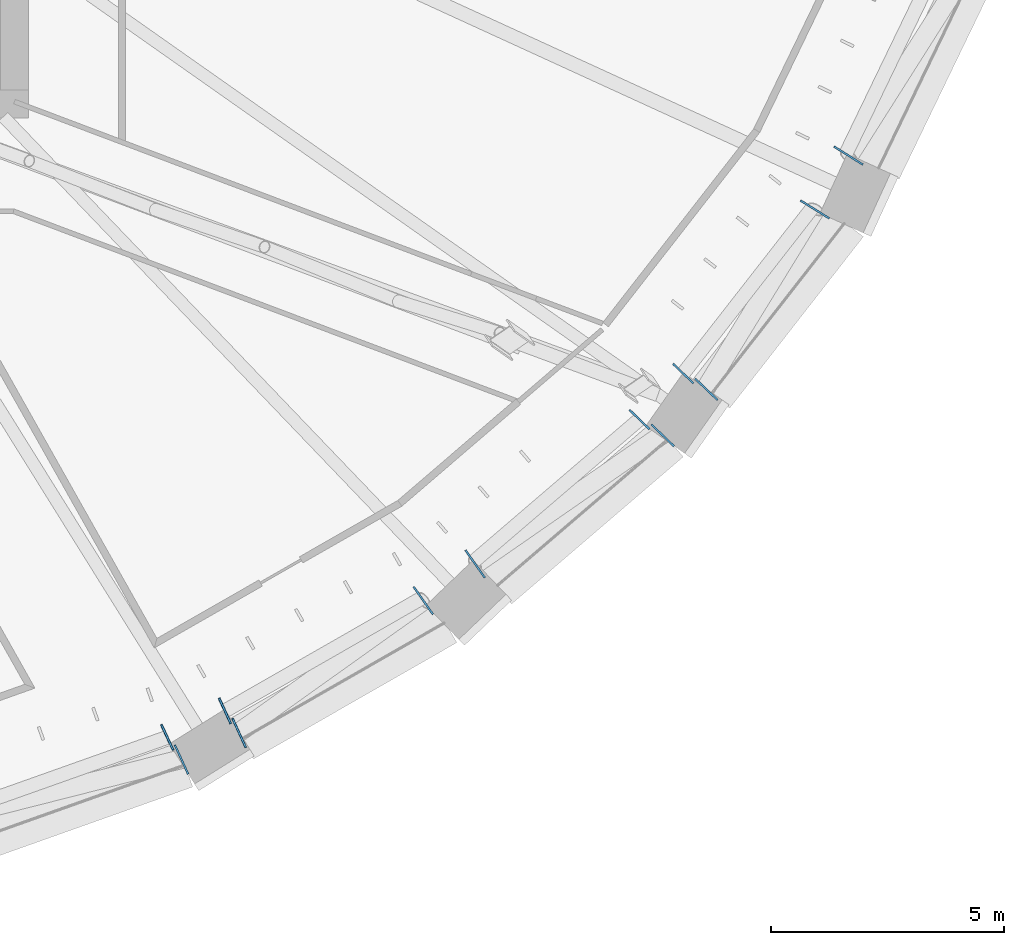
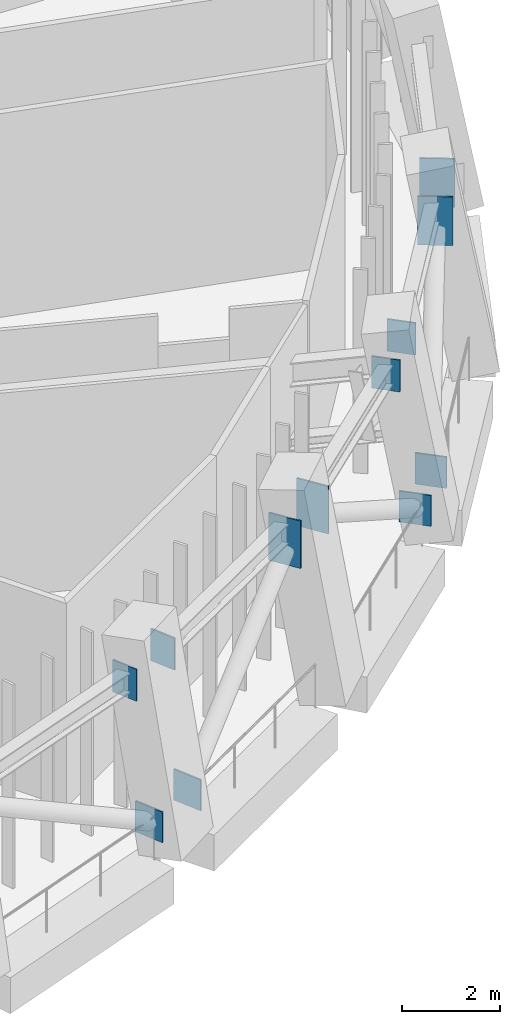
# One storey, part 13 of 21: 12 discrete accessories.
"""IFC4 building model written with IfcOpenShell, lengths in metres."""

import ifcopenshell
import ifcopenshell.guid

model = None  # the IFC model being written
_history = None  # IfcOwnerHistory: only IFC2X3 demands one
_inside = {}  # id of a spatial element -> (the spatial element, [elements in it])
_under = {}  # id of a project, library or spatial element -> (it, [spatial elements below it])
_declared = {}  # id of a project -> (the project, [libraries it declares])
_typed = {}  # id of a type object -> (the type object, [elements of that type])
_made_of = {}  # id of a material, layer set ... -> (it, [elements and type objects made of it])


def new_model(schema):
    """Start an empty IFC model of exactly this schema.

    Asked for "IFC4X3", IfcOpenShell would pick the latest addendum, in which some entities
    have other attributes; the version numbers below select the first issue.
    IFC2X3 requires an IfcOwnerHistory on every rooted entity: one is made here for all.
    """
    global model, _history
    if schema == "IFC4X3":
        model = ifcopenshell.file(schema_version=(4, 3, 0, 0))
    else:
        model = ifcopenshell.file(schema=schema)
    _inside.clear()
    _under.clear()
    _declared.clear()
    _typed.clear()
    _made_of.clear()
    _history = None
    if model.schema == "IFC2X3":
        org = make("IfcOrganization", Name="unknown")
        user = make(
            "IfcPersonAndOrganization",
            ThePerson=make("IfcPerson", FamilyName="unknown"),
            TheOrganization=org,
        )
        app = make(
            "IfcApplication",
            ApplicationDeveloper=org,
            Version="unknown",
            ApplicationFullName="unknown",
            ApplicationIdentifier="unknown",
        )
        _history = make(
            "IfcOwnerHistory",
            OwningUser=user,
            OwningApplication=app,
            ChangeAction="ADDED",
            CreationDate=0,
        )
    return model


def make(cls, **values):
    """One entity of the class cls with the attributes given. An attribute that is None is left unset."""
    return model.create_entity(
        cls, **{name: value for name, value in values.items() if value is not None}
    )


def rooted(cls, **values):
    """An entity with a GlobalId (a new one), such as an element, a storey or a relation."""
    return make(cls, GlobalId=ifcopenshell.guid.new(), OwnerHistory=_history, **values)


def si_unit(unit_type, name, prefix=None):
    """IfcSIUnit, for example si_unit("LENGTHUNIT", "METRE", prefix="MILLI")."""
    return make("IfcSIUnit", UnitType=unit_type, Prefix=prefix, Name=name)


def assignment(units):
    """IfcUnitAssignment: the units of a project."""
    return None if units is None else make("IfcUnitAssignment", Units=units)


def point(xyz):
    """IfcCartesianPoint."""
    return None if xyz is None else make("IfcCartesianPoint", Coordinates=xyz)


def direction(xyz):
    """IfcDirection."""
    return None if xyz is None else make("IfcDirection", DirectionRatios=xyz)


def frame(location, z_axis=None, x_axis=None):
    """IfcAxis2Placement3D, a coordinate frame: its origin and axes. An axis left out is left unset."""
    return make(
        "IfcAxis2Placement3D",
        Location=point(location),
        Axis=direction(z_axis),
        RefDirection=direction(x_axis),
    )


def frame_2d(location, x_axis=None):
    """IfcAxis2Placement2D, a coordinate frame in the plane: its origin and x axis."""
    return make(
        "IfcAxis2Placement2D", Location=point(location), RefDirection=direction(x_axis)
    )


def origin():
    """The frame at (0, 0, 0) with its axes left unset."""
    return frame((0.0, 0.0, 0.0))


def origin_2d():
    """The frame at (0, 0) in the plane with its x axis left unset."""
    return frame_2d((0.0, 0.0))


def place(relative_to, where):
    """IfcLocalPlacement: puts the frame where relative to a parent placement (None: the world)."""
    return make(
        "IfcLocalPlacement", PlacementRelTo=relative_to, RelativePlacement=where
    )


def context(
    kind, dimensions, precision=None, world=None, true_north=None, identifier=None
):
    """IfcGeometricRepresentationContext, for example the 3D "Model" context."""
    return make(
        "IfcGeometricRepresentationContext",
        ContextIdentifier=identifier,
        ContextType=kind,
        CoordinateSpaceDimension=dimensions,
        Precision=precision,
        WorldCoordinateSystem=world,
        TrueNorth=true_north,
    )


def subcontext(parent, identifier, kind, view, scale=None):
    """IfcGeometricRepresentationSubContext, for example "Body" below "Model"."""
    return make(
        "IfcGeometricRepresentationSubContext",
        ContextIdentifier=identifier,
        ContextType=kind,
        ParentContext=parent,
        TargetScale=scale,
        TargetView=view,
    )


def project(units=None, contexts=None):
    """IfcProject with its units and contexts."""
    return rooted(
        "IfcProject",
        Name="project",
        RepresentationContexts=contexts,
        UnitsInContext=assignment(units),
    )


def spatial(cls, under=None, at=None, **own):
    """A site, building, storey or space (cls), placed at a placement, below another one or the project."""
    s = rooted(cls, ObjectPlacement=at, **own)
    if under is not None:
        _under.setdefault(under.id(), (under, []))[1].append(s)
    return s


def profile(cls, at=None, kind="AREA", **sizes):
    """A parametric profile (cls). Its sizes go by their IFC names, for example OverallWidth=200.0."""
    return make(cls, ProfileType=kind, Position=at, **sizes)


def rectangle(**sizes):
    """IfcRectangleProfileDef."""
    return profile("IfcRectangleProfileDef", **sizes)


def extrude(swept, where, along, depth):
    """IfcExtrudedAreaSolid: the profile swept, set in the frame where, extruded along a direction by depth."""
    return make(
        "IfcExtrudedAreaSolid",
        SweptArea=swept,
        Position=where,
        ExtrudedDirection=direction(along),
        Depth=depth,
    )


def shape(context_of_items, identifier, shape_type, items):
    """IfcShapeRepresentation: the items that make up one representation, for example the "Body"."""
    return make(
        "IfcShapeRepresentation",
        ContextOfItems=context_of_items,
        RepresentationIdentifier=identifier,
        RepresentationType=shape_type,
        Items=items,
    )


def material(Name=None, Category=None):
    """IfcMaterial."""
    return make("IfcMaterial", Name=Name, Category=Category)


def layer(
    of_material, thickness, ventilated=None, Name=None, Category=None, Priority=None
):
    """IfcMaterialLayer: one layer of a wall or slab, of a material (None: an air gap)."""
    return make(
        "IfcMaterialLayer",
        Material=of_material,
        LayerThickness=thickness,
        IsVentilated=ventilated,
        Name=Name,
        Category=Category,
        Priority=Priority,
    )


def layer_set(layers, Name=None):
    """IfcMaterialLayerSet."""
    return make("IfcMaterialLayerSet", MaterialLayers=layers, LayerSetName=Name)


def made_of(thing, what):
    """Note that an element or type object is made of a material, layer set ...; save() writes the relation."""
    if what is not None:
        _made_of.setdefault(what.id(), (what, []))[1].append(thing)
    return thing


def type_object(cls, material=None, **own):
    """A type object (cls), such as IfcWallType, which elements share."""
    return made_of(rooted(cls, **own), material)


def element(
    cls,
    number,
    at=None,
    inside=None,
    cuts=None,
    type_object=None,
    material=None,
    context=None,
    identifier="Body",
    shape_type=None,
    held_by="IfcProductDefinitionShape",
    body=None,
    shapes=None,
    **own,
):
    """One element of the class cls, such as IfcWall. Its Tag is "e" and its number.

    at: its placement. inside: the storey or other place that contains it. cuts: it is an
    opening in that element (IfcRelVoidsElement). A single representation is given by context,
    identifier, shape_type and body (its items); several are given by shapes. held_by: the class
    of the entity that holds the representations. save() writes the other relations.
    """
    e = rooted(cls, Tag="e%d" % number, ObjectPlacement=at, **own)
    if body is not None:
        shapes = [shape(context, identifier, shape_type, body)]
    if shapes is not None:
        e.Representation = make(held_by, Representations=shapes)
    if inside is not None:
        _inside.setdefault(inside.id(), (inside, []))[1].append(e)
    if cuts is not None:
        rooted(
            "IfcRelVoidsElement", RelatingBuildingElement=cuts, RelatedOpeningElement=e
        )
    if type_object is not None:
        _typed.setdefault(type_object.id(), (type_object, []))[1].append(e)
    return made_of(e, material)


def aggregate(whole, parts):
    """IfcRelAggregates: a whole, such as a stair, and the parts it consists of."""
    return rooted("IfcRelAggregates", RelatingObject=whole, RelatedObjects=parts)


def save(model, path):
    """Write the relations noted so far, then the file.

    IfcRelAggregates (storeys below a building ...), IfcRelContainedInSpatialStructure (elements
    in a storey), IfcRelDefinesByType, IfcRelAssociatesMaterial and IfcRelDeclares: one each for
    every whole, place, type object, material and project.
    """
    for whole, parts in _under.values():
        aggregate(whole, parts)
    for where, things in _inside.values():
        rooted(
            "IfcRelContainedInSpatialStructure",
            RelatedElements=things,
            RelatingStructure=where,
        )
    for kind, things in _typed.values():
        rooted("IfcRelDefinesByType", RelatedObjects=things, RelatingType=kind)
    for what, things in _made_of.values():
        rooted("IfcRelAssociatesMaterial", RelatedObjects=things, RelatingMaterial=what)
    for by, libraries in _declared.values():
        rooted("IfcRelDeclares", RelatingContext=by, RelatedDefinitions=libraries)
    model.write(path)


model = new_model("IFC4")

# Units and contexts
model_context = context("Model", 3, precision=1e-05, world=origin(), true_north=direction((0.0, 1.0)))
body_context = subcontext(model_context, "Body", "Model", "MODEL_VIEW")
ifc_project = project(units=[si_unit("LENGTHUNIT", "METRE"), si_unit("AREAUNIT", "SQUARE_METRE"), si_unit("VOLUMEUNIT", "CUBIC_METRE"), si_unit("PLANEANGLEUNIT", "RADIAN"), si_unit("MASSUNIT", "GRAM", prefix="KILO")], contexts=[model_context])

# Site, building, storey
site_placement = place(None, origin())
site = spatial("IfcSite", under=ifc_project, at=site_placement, CompositionType="ELEMENT")
building_placement = place(site_placement, origin())
building = spatial("IfcBuilding", under=site, at=building_placement, Name="Halqa Exchange Tower", CompositionType="ELEMENT")
storey_placement = place(building_placement, frame((0.0, 0.0, 173.5)))
storey = spatial("IfcBuildingStorey", under=building, at=storey_placement, Name="L39", CompositionType="ELEMENT", Elevation=173.5)

# Discrete accessories
ifc_material = material(Name="Steel S355", Category="steel")
ifc_layer = layer(ifc_material, 0.0400390625)
ifc_layer_set = layer_set([ifc_layer], Name="Steel S355")
discrete_accessory_type = type_object("IfcDiscreteAccessoryType", Name="Belt truss anchor plate 40", PredefinedType="ANCHORPLATE", material=ifc_layer_set)
for number, where, z_axis, x_axis, name in (
    (1, (16.19384765625, -24.716796875, 4.25), (0.9097381412, 0.415182507393, 0.0), (-0.415182507393, 0.9097381412, 0.0), "Belt truss anchor plate"),
    (2, (14.994384765625, -25.267578125, 4.25), (-0.90742390538, -0.420216439404, 0.0), (0.420216439404, -0.90742390538, 0.0), "Belt truss anchor plate"),
):
    element("IfcDiscreteAccessory", number, at=place(storey_placement, frame(where, z_axis=z_axis, x_axis=x_axis)), inside=storey, type_object=discrete_accessory_type, Name=name, PredefinedType="ANCHORPLATE", context=body_context, shape_type="SweptSolid", body=[
        extrude(rectangle(XDim=0.60009765625, YDim=0.800048828125, at=origin_2d()), origin(), (0.0, 0.0, 1.0), 0.0400390625),
    ])
discrete_accessory_1_placement = place(storey_placement, frame((16.497802734375, -25.1904296875, 0.912353515625), z_axis=(0.9097381412, 0.415182507393, 0.0), x_axis=(-0.415182507393, 0.9097381412, 0.0)))
element("IfcDiscreteAccessory", 3, at=discrete_accessory_1_placement, inside=storey, type_object=discrete_accessory_type, Name="Belt truss anchor plate", PredefinedType="ANCHORPLATE", context=body_context, shape_type="SweptSolid", body=[
    extrude(rectangle(XDim=0.681884765625, YDim=0.77392578125, at=origin_2d()), origin(), (0.0, 0.0, 1.0), 0.0400390625),
])
discrete_accessory_2_placement = place(storey_placement, frame((15.299072265625, -25.7431640625, 0.891845703125), z_axis=(-0.9097381412, -0.415182507393, 0.0), x_axis=(0.415182507393, -0.9097381412, 0.0)))
element("IfcDiscreteAccessory", 4, at=discrete_accessory_2_placement, inside=storey, type_object=discrete_accessory_type, Name="Belt truss anchor plate", PredefinedType="ANCHORPLATE", context=body_context, shape_type="SweptSolid", body=[
    extrude(rectangle(XDim=0.68896484375, YDim=0.76904296875, at=origin_2d()), origin(), (0.0, 0.0, 1.0), 0.0400390625),
])
discrete_accessory_3_placement = place(storey_placement, frame((21.557861328125, -21.5712890625, 4.054931640625), z_axis=(0.81865747399, 0.57428210862, 0.0), x_axis=(-0.57428210862, 0.81865747399, 0.0)))
element("IfcDiscreteAccessory", 5, at=discrete_accessory_3_placement, inside=storey, type_object=discrete_accessory_type, Name="Belt truss anchor plate", PredefinedType="ANCHORPLATE", context=body_context, shape_type="SweptSolid", body=[
    extrude(rectangle(XDim=0.721923828125, YDim=1.18994140625, at=origin_2d()), origin(), (0.0, 0.0, 1.0), 0.0400390625),
])
discrete_accessory_4_placement = place(storey_placement, frame((20.478759765625, -22.331787109375, 4.054443359375), z_axis=(-0.81865747399, -0.57428210862, 0.0), x_axis=(0.57428210862, -0.81865747399, 0.0)))
element("IfcDiscreteAccessory", 6, at=discrete_accessory_4_placement, inside=storey, type_object=discrete_accessory_type, Name="Belt truss anchor plate", PredefinedType="ANCHORPLATE", context=body_context, shape_type="SweptSolid", body=[
    extrude(rectangle(XDim=0.719970703125, YDim=1.19091796875, at=origin_2d()), origin(), (0.0, 0.0, 1.0), 0.0400390625),
])
discrete_accessory_5_placement = place(storey_placement, frame((26.02001953125, -17.492919921875, 4.25), z_axis=(0.691639439628, 0.722242954656, 0.0), x_axis=(-0.722242954656, 0.691639439628, 0.0)))
element("IfcDiscreteAccessory", 7, at=discrete_accessory_5_placement, inside=storey, type_object=discrete_accessory_type, Name="Belt truss anchor plate", PredefinedType="ANCHORPLATE", context=body_context, shape_type="SweptSolid", body=[
    extrude(rectangle(XDim=0.60009765625, YDim=0.800048828125, at=origin_2d()), origin(), (0.0, 0.0, 1.0), 0.039794921875),
])
discrete_accessory_6_placement = place(storey_placement, frame((25.108642578125, -18.447998046875, 4.25), z_axis=(-0.694812020929, -0.719191390085, 0.0), x_axis=(0.719191390085, -0.694812020929, 0.0)))
element("IfcDiscreteAccessory", 8, at=discrete_accessory_6_placement, inside=storey, type_object=discrete_accessory_type, Name="Belt truss anchor plate", PredefinedType="ANCHORPLATE", context=body_context, shape_type="SweptSolid", body=[
    extrude(rectangle(XDim=0.60009765625, YDim=0.800048828125, at=origin_2d()), origin(), (0.0, 0.0, 1.0), 0.0400390625),
])
discrete_accessory_7_placement = place(storey_placement, frame((26.515625, -17.831298828125, 0.93896484375), z_axis=(0.691639439628, 0.722242954656, 0.0), x_axis=(-0.722242954656, 0.691639439628, 0.0)))
element("IfcDiscreteAccessory", 9, at=discrete_accessory_7_placement, inside=storey, type_object=discrete_accessory_type, Name="Belt truss anchor plate", PredefinedType="ANCHORPLATE", context=body_context, shape_type="SweptSolid", body=[
    extrude(rectangle(XDim=0.666015625, YDim=0.781982421875, at=origin_2d()), origin(), (0.0, 0.0, 1.0), 0.039794921875),
])
discrete_accessory_8_placement = place(storey_placement, frame((25.606201171875, -18.787841796875, 0.911376953125), z_axis=(-0.691773553935, -0.722114499284, 0.0), x_axis=(0.722114499284, -0.691773553935, 0.0)))
element("IfcDiscreteAccessory", 10, at=discrete_accessory_8_placement, inside=storey, type_object=discrete_accessory_type, Name="Belt truss anchor plate", PredefinedType="ANCHORPLATE", context=body_context, shape_type="SweptSolid", body=[
    extrude(rectangle(XDim=0.675048828125, YDim=0.77392578125, at=origin_2d()), origin(), (0.0, 0.0, 1.0), 0.040283203125),
])
discrete_accessory_9_placement = place(storey_placement, frame((29.564697265625, -12.82421875, 4.04052734375), z_axis=(0.530546985787, 0.847655529016, 0.0), x_axis=(-0.847655529016, 0.530546985787, 0.0)))
element("IfcDiscreteAccessory", 11, at=discrete_accessory_9_placement, inside=storey, type_object=discrete_accessory_type, Name="Belt truss anchor plate", PredefinedType="ANCHORPLATE", context=body_context, shape_type="SweptSolid", body=[
    extrude(rectangle(XDim=0.73095703125, YDim=1.218994140625, at=origin_2d()), origin(), (0.0, 0.0, 1.0), 0.0400390625),
])
discrete_accessory_10_placement = place(storey_placement, frame((28.8671875, -13.944580078125, 4.040283203125), z_axis=(-0.527815847616, -0.849358835243, 0.0), x_axis=(0.849358835243, -0.527815847616, 0.0)))
element("IfcDiscreteAccessory", 12, at=discrete_accessory_10_placement, inside=storey, type_object=discrete_accessory_type, Name="Belt truss anchor plate", PredefinedType="ANCHORPLATE", context=body_context, shape_type="SweptSolid", body=[
    extrude(rectangle(XDim=0.72900390625, YDim=1.219970703125, at=origin_2d()), origin(), (0.0, 0.0, 1.0), 0.040283203125),
])

save(model, "model.ifc")
